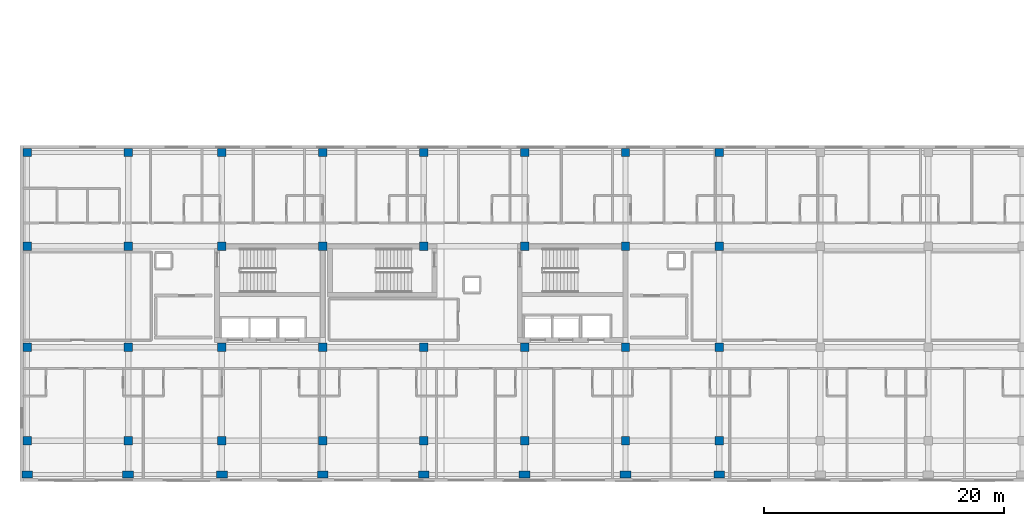
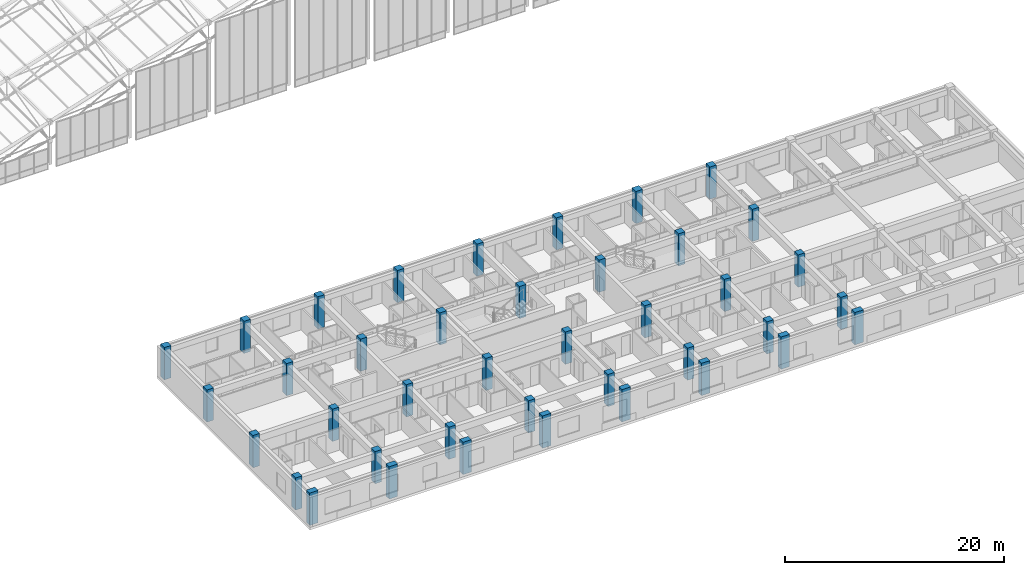
# One storey, part 1 of 144: 40 columns.
"""IFC4 building model written with IfcOpenShell, lengths in metres."""

from ifc_helpers import new_model, si_unit, direction, frame, origin, origin_2d, place, context, subcontext, project, spatial, rectangle, extrude, material, material_profile, profile_set, type_object, element, save


model = new_model("IFC4")

# Units and contexts
model_context = context("Model", 3, precision=1e-05, world=origin(), true_north=direction((0.0, 1.0)))
body_context = subcontext(model_context, "Body", "Model", "MODEL_VIEW")
ifc_project = project(units=[si_unit("LENGTHUNIT", "METRE"), si_unit("AREAUNIT", "SQUARE_METRE"), si_unit("VOLUMEUNIT", "CUBIC_METRE"), si_unit("PLANEANGLEUNIT", "RADIAN"), si_unit("MASSUNIT", "GRAM", prefix="KILO")], contexts=[model_context])

# Site, building, storey
site_placement = place(None, origin())
site = spatial("IfcSite", under=ifc_project, at=site_placement, CompositionType="ELEMENT")
building_placement = place(site_placement, origin())
building = spatial("IfcBuilding", under=site, at=building_placement, Name="Zayran Congress Hotel", CompositionType="ELEMENT")
storey_placement = place(building_placement, frame((0.0, 0.0, 19.199951171875)))
storey = spatial("IfcBuildingStorey", under=building, at=storey_placement, Name="L04", CompositionType="ELEMENT", Elevation=19.199951171875)

# Columns
ifc_material = material(Name="Concrete C40/50", Category="concrete")
ifc_material_profile_1 = material_profile(ifc_material, rectangle(XDim=0.699951171875, YDim=0.699951171875, at=origin_2d()), Name="RC 700x700")
ifc_profile_set_1 = profile_set([ifc_material_profile_1], Name="Concrete C40/50")
column_type_1 = type_object("IfcColumnType", Name="TP-CL-03", PredefinedType="COLUMN", material=ifc_profile_set_1)
for number, where, z_axis, x_axis, name in (
    (1, (9.0, 9.39990234375, 0.0), (0.0, 0.0, 1.0), (1.0, 0.0, 0.0), "COL-V5-L04-1098"),
    (2, (9.0, 17.199951171875, 0.0), (0.0, 0.0, 1.0), (1.0, 0.0, 0.0), "COL-V5-L04-1099"),
    (3, (9.0, 25.60009765625, 0.0), (0.0, 0.0, 1.0), (1.0, 0.0, 0.0), "COL-V5-L04-1100"),
    (4, (9.0, 33.39990234375, 0.0), (0.0, 0.0, 1.0), (1.0, 0.0, 0.0), "COL-V5-L04-1101"),
    (5, (17.39990234375, 9.39990234375, 0.0), (0.0, 0.0, 1.0), (1.0, 0.0, 0.0), "COL-V5-L04-1103"),
    (6, (17.39990234375, 17.199951171875, 0.0), (0.0, 0.0, 1.0), (1.0, 0.0, 0.0), "COL-V5-L04-1104"),
    (7, (17.39990234375, 25.60009765625, 0.0), (0.0, 0.0, 1.0), (1.0, 0.0, 0.0), "COL-V5-L04-1105"),
    (8, (17.39990234375, 33.39990234375, 0.0), (0.0, 0.0, 1.0), (1.0, 0.0, 0.0), "COL-V5-L04-1106"),
    (9, (25.199951171875, 9.39990234375, 0.0), (0.0, 0.0, 1.0), (1.0, 0.0, 0.0), "COL-V5-L04-1108"),
    (10, (25.199951171875, 17.199951171875, 0.0), (0.0, 0.0, 1.0), (1.0, 0.0, 0.0), "COL-V5-L04-1109"),
    (11, (25.199951171875, 25.60009765625, 0.0), (0.0, 0.0, 1.0), (1.0, 0.0, 0.0), "COL-V5-L04-1110"),
    (12, (25.199951171875, 33.39990234375, 0.0), (0.0, 0.0, 1.0), (1.0, 0.0, 0.0), "COL-V5-L04-1111"),
    (13, (33.60009765625, 9.39990234375, 0.0), (0.0, 0.0, 1.0), (1.0, 0.0, 0.0), "COL-V5-L04-1113"),
    (14, (33.60009765625, 17.199951171875, 0.0), (0.0, 0.0, 1.0), (1.0, 0.0, 0.0), "COL-V5-L04-1114"),
    (15, (33.60009765625, 25.60009765625, 0.0), (0.0, 0.0, 1.0), (1.0, 0.0, 0.0), "COL-V5-L04-1115"),
    (16, (33.60009765625, 33.39990234375, 0.0), (0.0, 0.0, 1.0), (1.0, 0.0, 0.0), "COL-V5-L04-1116"),
    (17, (42.0, 9.39990234375, 0.0), (0.0, 0.0, 1.0), (1.0, 0.0, 0.0), "COL-V5-L04-1118"),
    (18, (42.0, 17.199951171875, 0.0), (0.0, 0.0, 1.0), (1.0, 0.0, 0.0), "COL-V5-L04-1119"),
    (19, (42.0, 25.60009765625, 0.0), (0.0, 0.0, 1.0), (1.0, 0.0, 0.0), "COL-V5-L04-1120"),
    (20, (42.0, 33.39990234375, 0.0), (0.0, 0.0, 1.0), (1.0, 0.0, 0.0), "COL-V5-L04-1121"),
    (21, (50.39990234375, 9.39990234375, 0.0), (0.0, 0.0, 1.0), (1.0, 0.0, 0.0), "COL-V5-L04-1123"),
    (22, (50.39990234375, 17.199951171875, 0.0), (0.0, 0.0, 1.0), (1.0, 0.0, 0.0), "COL-V5-L04-1124"),
    (23, (50.39990234375, 25.60009765625, 0.0), (0.0, 0.0, 1.0), (1.0, 0.0, 0.0), "COL-V5-L04-1125"),
    (24, (50.39990234375, 33.39990234375, 0.0), (0.0, 0.0, 1.0), (1.0, 0.0, 0.0), "COL-V5-L04-1126"),
    (25, (58.800048828125, 9.39990234375, 0.0), (0.0, 0.0, 1.0), (1.0, 0.0, 0.0), "COL-V5-L04-1128"),
    (26, (58.800048828125, 17.199951171875, 0.0), (0.0, 0.0, 1.0), (1.0, 0.0, 0.0), "COL-V5-L04-1129"),
    (27, (58.800048828125, 25.60009765625, 0.0), (0.0, 0.0, 1.0), (1.0, 0.0, 0.0), "COL-V5-L04-1130"),
    (28, (58.800048828125, 33.39990234375, 0.0), (0.0, 0.0, 1.0), (1.0, 0.0, 0.0), "COL-V5-L04-1131"),
    (29, (66.60009765625, 9.39990234375, 0.0), (0.0, 0.0, 1.0), (1.0, 0.0, 0.0), "COL-V5-L04-1133"),
    (30, (66.60009765625, 17.199951171875, 0.0), (0.0, 0.0, 1.0), (1.0, 0.0, 0.0), "COL-V5-L04-1134"),
    (31, (66.60009765625, 25.60009765625, 0.0), (0.0, 0.0, 1.0), (1.0, 0.0, 0.0), "COL-V5-L04-1135"),
    (32, (66.60009765625, 33.39990234375, 0.0), (0.0, 0.0, 1.0), (1.0, 0.0, 0.0), "COL-V5-L04-1136"),
):
    element("IfcColumn", number, at=place(storey_placement, frame(where, z_axis=z_axis, x_axis=x_axis)), inside=storey, type_object=column_type_1, Name=name, PredefinedType="COLUMN", context=body_context, shape_type="SweptSolid", body=[
        extrude(rectangle(XDim=0.699951171875, YDim=0.699951171875, at=origin_2d()), origin(), (0.0, 0.0, 1.0), 3.60009765625),
    ])
ifc_material_profile_2 = material_profile(ifc_material, rectangle(XDim=0.60009765625, YDim=0.89990234375, at=origin_2d()), Name="RC 900x600")
ifc_profile_set_2 = profile_set([ifc_material_profile_2], Name="Concrete C40/50")
column_type_2 = type_object("IfcColumnType", Name="TP-CL-05", PredefinedType="COLUMN", material=ifc_profile_set_2)
for number, where, z_axis, x_axis, name in (
    (33, (9.0, 6.60009765625, 0.0), (0.0, 0.0, 1.0), (0.0, 1.0, 0.0), "COL-V5-L04-1097"),
    (34, (17.39990234375, 6.60009765625, 0.0), (0.0, 0.0, 1.0), (0.0, 1.0, 0.0), "COL-V5-L04-1102"),
    (35, (25.199951171875, 6.60009765625, 0.0), (0.0, 0.0, 1.0), (0.0, 1.0, 0.0), "COL-V5-L04-1107"),
    (36, (33.60009765625, 6.60009765625, 0.0), (0.0, 0.0, 1.0), (0.0, 1.0, 0.0), "COL-V5-L04-1112"),
    (37, (42.0, 6.60009765625, 0.0), (0.0, 0.0, 1.0), (0.0, 1.0, 0.0), "COL-V5-L04-1117"),
    (38, (50.39990234375, 6.60009765625, 0.0), (0.0, 0.0, 1.0), (0.0, 1.0, 0.0), "COL-V5-L04-1122"),
    (39, (58.800048828125, 6.60009765625, 0.0), (0.0, 0.0, 1.0), (0.0, 1.0, 0.0), "COL-V5-L04-1127"),
    (40, (66.60009765625, 6.60009765625, 0.0), (0.0, 0.0, 1.0), (0.0, 1.0, 0.0), "COL-V5-L04-1132"),
):
    element("IfcColumn", number, at=place(storey_placement, frame(where, z_axis=z_axis, x_axis=x_axis)), inside=storey, type_object=column_type_2, Name=name, PredefinedType="COLUMN", context=body_context, shape_type="SweptSolid", body=[
        extrude(rectangle(XDim=0.60009765625, YDim=0.89990234375, at=origin_2d()), origin(), (0.0, 0.0, 1.0), 3.60009765625),
    ])

save(model, "model.ifc")
